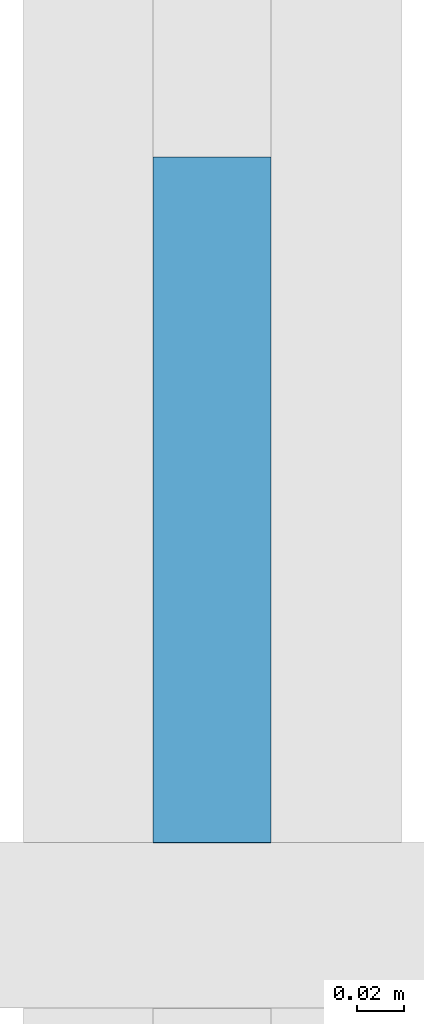
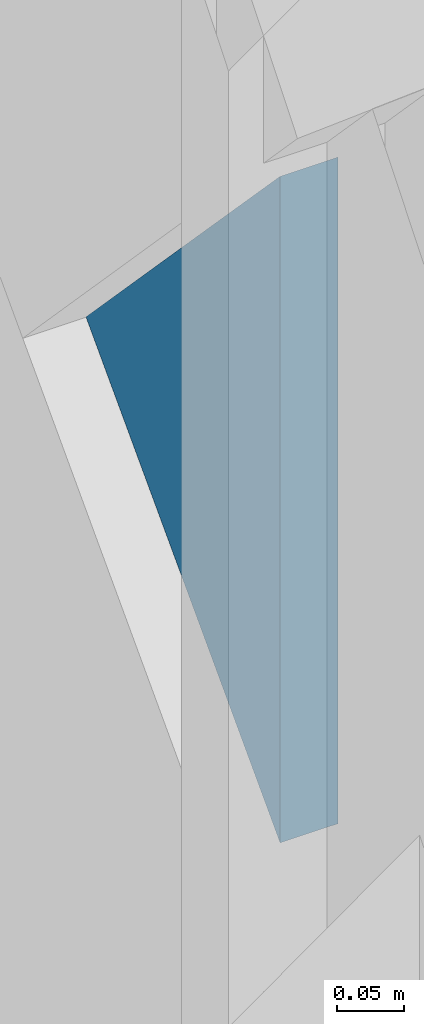
# One storey, part 13 of 19: 1 plate, 1 element without a shape of its own.
"""IFC4 building model written with IfcOpenShell, lengths in metres."""

from ifc_helpers import new_model, si_unit, direction, frame, origin, place, context, subcontext, project, spatial, polyline, outline, extrude, material, layer, layer_set, type_object, element, aggregate, save


model = new_model("IFC4")

# Units and contexts
model_context = context("Model", 3, precision=1e-05, world=origin(), true_north=direction((0.0, 1.0)))
body_context = subcontext(model_context, "Body", "Model", "MODEL_VIEW")
ifc_project = project(units=[si_unit("LENGTHUNIT", "METRE"), si_unit("AREAUNIT", "SQUARE_METRE"), si_unit("VOLUMEUNIT", "CUBIC_METRE"), si_unit("PLANEANGLEUNIT", "RADIAN"), si_unit("MASSUNIT", "GRAM", prefix="KILO")], contexts=[model_context])

# Site, building, storey
site_placement = place(None, origin())
site = spatial("IfcSite", under=ifc_project, at=site_placement, CompositionType="ELEMENT")
building_placement = place(site_placement, origin())
building = spatial("IfcBuilding", under=site, at=building_placement, Name="Rheinbord Bourse Tower", CompositionType="ELEMENT")
storey_placement = place(building_placement, frame((0.0, 0.0, 167.699951171875)))
storey = spatial("IfcBuildingStorey", under=building, at=storey_placement, Name="L37", CompositionType="ELEMENT", Elevation=167.699951171875)

# Curtain wall, plate
ifc_material_1 = material(Name="Dark glass and black aluminium", Category="aluminium")
curtain_wall_type = type_object("IfcCurtainWallType", Name="CW2 DARK GLASS CURTAIN WALL", PredefinedType="USERDEFINED", material=ifc_material_1)
curtain_wall_placement = place(storey_placement, origin())
curtain_wall = element("IfcCurtainWall", 1, at=curtain_wall_placement, inside=storey, type_object=curtain_wall_type, Name="Curtain wall CW2 E L37", ObjectType="UNITISED CURTAIN WALL", PredefinedType="USERDEFINED")
ifc_material_2 = material(Name="Dark tinted triple insulating glass", Category="glass")
ifc_layer = layer(ifc_material_2, 0.050048828125)
ifc_layer_set = layer_set([ifc_layer], Name="CW2 DARK GLASS PANEL")
plate_type = type_object("IfcPlateType", Name="CW2 DARK GLASS PANEL", PredefinedType="CURTAIN_PANEL", material=ifc_layer_set)
plate_placement = place(storey_placement, frame((72.625, 12.875, 2.404052734375), z_axis=(-1.0, 0.0, 0.0), x_axis=(0.0, 0.690351348843, -0.723474267096)))
plate = element("IfcPlate", 2, at=plate_placement, type_object=plate_type, Name="CW2 glass facet 1", PredefinedType="CURTAIN_PANEL", context=body_context, shape_type="SweptSolid", body=[
    extrude(outline(polyline([(0.0, 0.0), (0.420166015625, 0.0), (0.439697265625, 0.419677734375), (0.0, 0.0)])), origin(), (0.0, 0.0, 1.0), 0.050048828125),
])
aggregate(curtain_wall, [plate])

save(model, "model.ifc")
